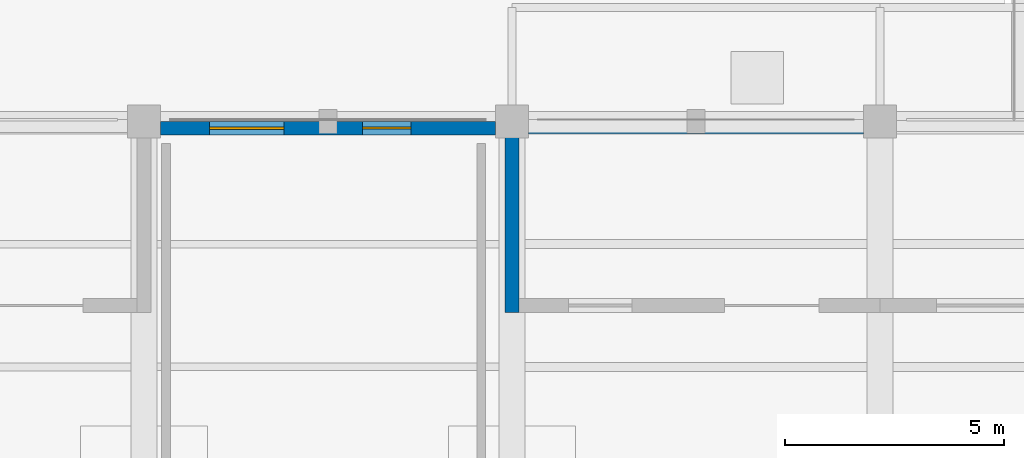
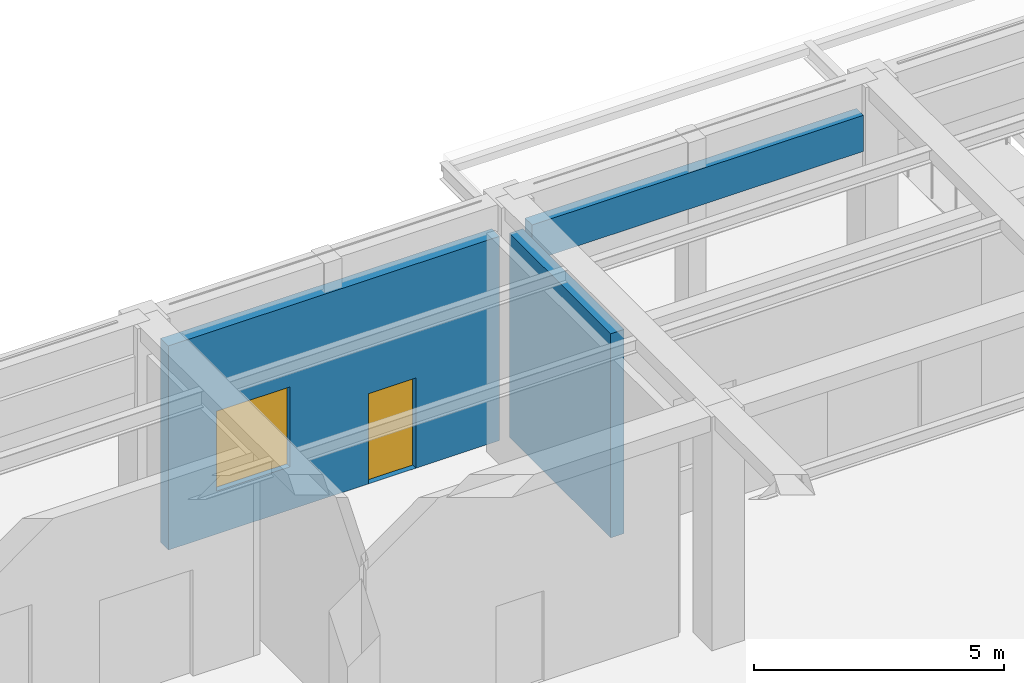
# One storey, part 28 of 43: 3 walls, 1 door, 1 window, 2 openings.
"""IFC4 building model written with IfcOpenShell, lengths in metres."""

from ifc_helpers import new_model, si_unit, direction, frame, frame_2d, origin, place, context, subcontext, project, spatial, rectangle, extrude, material, layer, layer_set, type_object, element, fill, save


model = new_model("IFC4")

# Units and contexts
model_context = context("Model", 3, precision=1e-05, world=origin(), true_north=direction((0.0, 1.0)))
body_context = subcontext(model_context, "Body", "Model", "MODEL_VIEW")
ifc_project = project(units=[si_unit("LENGTHUNIT", "METRE"), si_unit("AREAUNIT", "SQUARE_METRE"), si_unit("VOLUMEUNIT", "CUBIC_METRE"), si_unit("PLANEANGLEUNIT", "RADIAN"), si_unit("MASSUNIT", "GRAM", prefix="KILO")], contexts=[model_context])

# Site, building, storey
site_placement = place(None, origin())
site = spatial("IfcSite", under=ifc_project, at=site_placement, CompositionType="ELEMENT")
building_placement = place(site_placement, origin())
building = spatial("IfcBuilding", under=site, at=building_placement, Name="Almacenes y Pasaje Nevantli", CompositionType="ELEMENT")
storey_placement = place(building_placement, origin())
storey = spatial("IfcBuildingStorey", under=building, at=storey_placement, Name="L01", CompositionType="ELEMENT", Elevation=0.0)

# Wall
ifc_material_1 = material(Name="Architectural Precast Concrete C35/45 Spandrel Wall", Category="concrete")
ifc_layer_1 = layer(ifc_material_1, 0.280029296875)
ifc_layer_set_1 = layer_set([ifc_layer_1], Name="Architectural Precast Concrete C35/45 Spandrel Wall")
wall_type_1 = type_object("IfcWallType", Name="WL-EXT-CANTERA-280", PredefinedType="SOLIDWALL", material=ifc_layer_set_1)
wall_1_placement = place(storey_placement, frame((117.97802734375, 117.449951171875, 4.10009765625), z_axis=(0.0, 0.0, 1.0), x_axis=(1.0, 0.0, 0.0)))
element("IfcWall", 1, at=wall_1_placement, inside=storey, type_object=wall_type_1, Name="L01 Boulevard Portales Colonnade Spandrel Frieze Bay 15", PredefinedType="SOLIDWALL", context=body_context, shape_type="SweptSolid", body=[
    extrude(rectangle(XDim=7.64404296875, YDim=0.280029296875, at=frame_2d((3.822021484375, 0.0))), origin(), (0.0, 0.0, 1.0), 0.8798828125),
])

# Wall, openings, door, window
ifc_material_2 = material(Name="Architectural Precast Concrete C35/45 Plinth Wall", Category="concrete")
ifc_layer_2 = layer(ifc_material_2, 0.31005859375)
ifc_layer_set_2 = layer_set([ifc_layer_2], Name="Architectural Precast Concrete C35/45 Plinth Wall")
wall_type_2 = type_object("IfcWallType", Name="WL-EXT-RECINTO-310", PredefinedType="SOLIDWALL", material=ifc_layer_set_2)
wall_2_placement = place(storey_placement, frame((109.577880859375, 117.449951171875, 0.0), z_axis=(0.0, 0.0, 1.0), x_axis=(1.0, 0.0, 0.0)))
wall_2 = element("IfcWall", 2, at=wall_2_placement, inside=storey, type_object=wall_type_2, Name="L01 Fire Command Room Boulevard Exterior Wall", PredefinedType="SOLIDWALL", context=body_context, shape_type="SweptSolid", body=[
    extrude(rectangle(XDim=7.64404296875, YDim=0.31005859375, at=frame_2d((3.822021484375, 0.0))), origin(), (0.0, 0.0, 1.0), 4.97998046875),
])
opening_1_placement = place(wall_2_placement, frame((1.112060546875, 0.0, 1.050048828125)))
opening_1 = element("IfcOpeningElement", 3, at=opening_1_placement, cuts=wall_2, Name="Opening WT-16-011", PredefinedType="OPENING", context=body_context, shape_type="SweptSolid", body=[
    extrude(rectangle(XDim=1.699951171875, YDim=1.949951171875, at=frame_2d((0.85009765625, 0.97509765625))), frame((0.0, 0.1650390625, 0.0), z_axis=(0.0, -1.0, 0.0), x_axis=(1.0, 0.0, 0.0)), (0.0, 0.0, 1.0), 0.330078125),
])
opening_2_placement = place(wall_2_placement, frame((4.612060546875, 0.0, 0.0)))
opening_2 = element("IfcOpeningElement", 4, at=opening_2_placement, cuts=wall_2, Name="Opening ED-L01-014", PredefinedType="OPENING", context=body_context, shape_type="SweptSolid", body=[
    extrude(rectangle(XDim=1.10009765625, YDim=2.199951171875, at=frame_2d((0.550048828125, 1.10009765625))), frame((0.0, 0.1650390625, 0.0), z_axis=(0.0, -1.0, 0.0), x_axis=(1.0, 0.0, 0.0)), (0.0, 0.0, 1.0), 0.330078125),
])
ifc_material_3 = material(Name="Anodized Aluminium and Safety Glass", Category="aluminium")
door_type = type_object("IfcDoorType", Name="DR-EXT-FCR-1100", OperationType="SINGLE_SWING_RIGHT", PredefinedType="DOOR", material=ifc_material_3)
door_placement = place(opening_2_placement, origin())
door = element("IfcDoor", 5, at=door_placement, inside=storey, type_object=door_type, Name="L01 Fire Command Room Boulevard Access Door", OperationType="SINGLE_SWING_RIGHT", OverallHeight=2.199951171875, OverallWidth=1.10009765625, PredefinedType="DOOR", context=body_context, shape_type="SweptSolid", body=[
    extrude(rectangle(XDim=1.10009765625, YDim=2.199951171875, at=frame_2d((0.550048828125, 1.10009765625))), frame((0.0, 0.02490234375, 0.0), z_axis=(0.0, -1.0, 0.0), x_axis=(1.0, 0.0, 0.0)), (0.0, 0.0, 1.0), 0.050048828125),
])
fill(opening_2, door)
ifc_material_4 = material(Name="Thermally Broken Aluminium and Low-E Double Glazing", Category="aluminium")
window_type = type_object("IfcWindowType", Name="WN-POD-1700x1950", PartitioningType="SINGLE_PANEL", PredefinedType="WINDOW", material=ifc_material_4)
window_placement = place(opening_1_placement, origin())
window = element("IfcWindow", 6, at=window_placement, inside=storey, type_object=window_type, Name="L01 Exterior Window WT-16 #11", OverallHeight=1.949951171875, OverallWidth=1.699951171875, PartitioningType="SINGLE_PANEL", PredefinedType="WINDOW", context=body_context, shape_type="SweptSolid", body=[
    extrude(rectangle(XDim=1.699951171875, YDim=1.949951171875, at=frame_2d((0.85009765625, 0.97509765625))), frame((0.0, 0.030029296875, 0.0), z_axis=(0.0, -1.0, 0.0), x_axis=(1.0, 0.0, 0.0)), (0.0, 0.0, 1.0), 0.06005859375),
])
fill(opening_1, window)

# Wall
wall_3_placement = place(storey_placement, frame((117.60009765625, 113.2451171875, 0.0), z_axis=(0.0, 0.0, 1.0), x_axis=(0.0, 1.0, 0.0)))
element("IfcWall", 7, at=wall_3_placement, inside=storey, type_object=wall_type_2, Name="L01 Boulevard Portales Fire Command East Return Wall", PredefinedType="SOLIDWALL", context=body_context, shape_type="SweptSolid", body=[
    extrude(rectangle(XDim=4.0478515625, YDim=0.31005859375, at=frame_2d((2.02392578125, 0.0))), origin(), (0.0, 0.0, 1.0), 4.97998046875),
])

save(model, "model.ifc")
